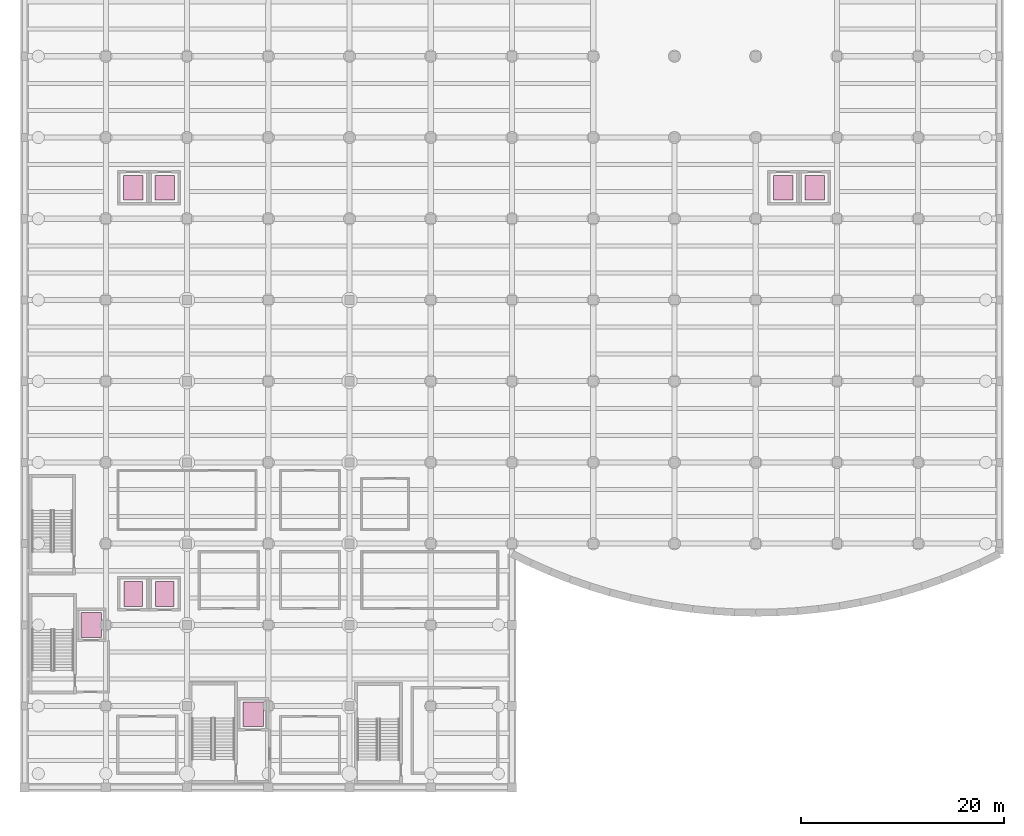
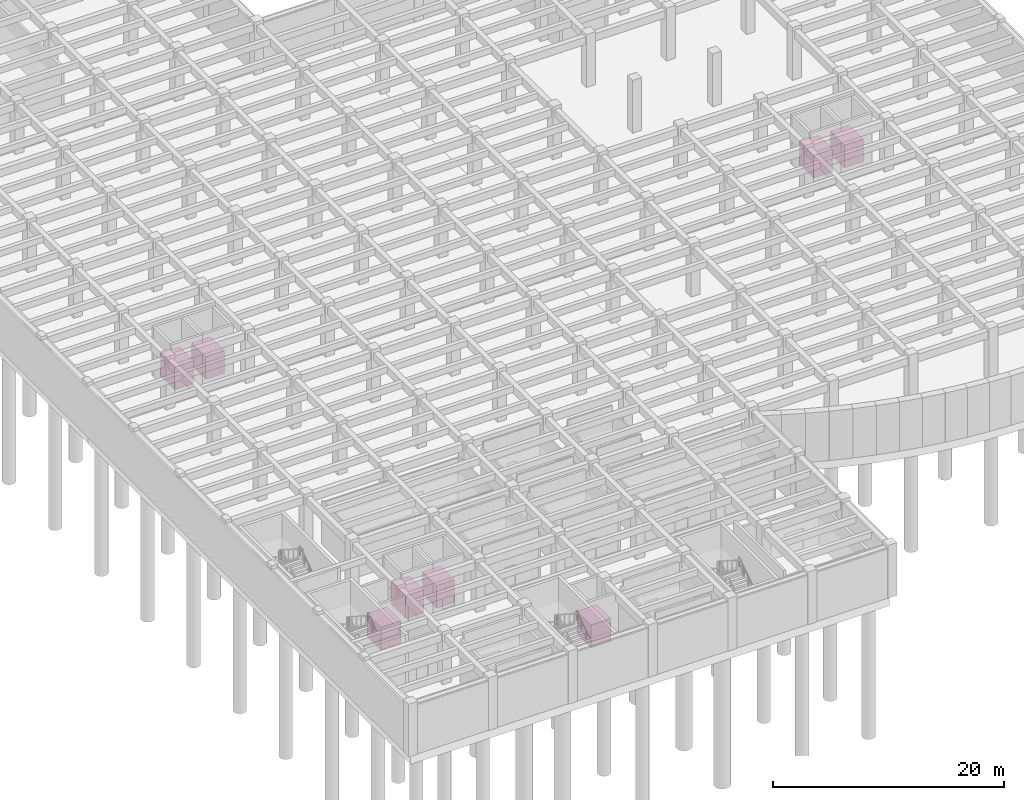
# One storey, part 18 of 18: 8 transport elements.
"""IFC4 building model written with IfcOpenShell, lengths in metres."""

from ifc_helpers import new_model, si_unit, direction, frame, origin, origin_2d, place, context, subcontext, project, spatial, rectangle, extrude, material, type_object, element, save


model = new_model("IFC4")

# Units and contexts
model_context = context("Model", 3, precision=1e-05, world=origin(), true_north=direction((0.0, 1.0)))
body_context = subcontext(model_context, "Body", "Model", "MODEL_VIEW")
ifc_project = project(units=[si_unit("LENGTHUNIT", "METRE"), si_unit("AREAUNIT", "SQUARE_METRE"), si_unit("VOLUMEUNIT", "CUBIC_METRE"), si_unit("PLANEANGLEUNIT", "RADIAN"), si_unit("MASSUNIT", "GRAM", prefix="KILO")], contexts=[model_context])

# Site, building, storey
site_placement = place(None, origin())
site = spatial("IfcSite", under=ifc_project, at=site_placement, CompositionType="ELEMENT")
building_placement = place(site_placement, origin())
building = spatial("IfcBuilding", under=site, at=building_placement, Name="Drelvath Fold Interchange", CompositionType="ELEMENT")
storey_placement = place(building_placement, frame((0.0, 0.0, -11.199951171875)))
storey = spatial("IfcBuildingStorey", under=building, at=storey_placement, Name="B2", CompositionType="ELEMENT", Elevation=-11.199951171875)

# Transport elements
ifc_material = material(Name="Stainless Steel 316L", Category="steel")
transport_element_type_1 = type_object("IfcTransportElementType", Name="EL-FF2000", PredefinedType="ELEVATOR", material=ifc_material)
for number, where, z_axis, x_axis, name in (
    (1, (10.56005859375, 19.0, 0.0), (0.0, 0.0, 1.0), (1.0, 0.0, 0.0), "Fire Service Access Elevator LF-FF1"),
    (2, (26.510009765625, 10.199951171875, 0.0), (0.0, 0.0, 1.0), (1.0, 0.0, 0.0), "Fire Service Access Elevator LF-FF2"),
):
    element("IfcTransportElement", number, at=place(storey_placement, frame(where, z_axis=z_axis, x_axis=x_axis)), inside=storey, type_object=transport_element_type_1, Name=name, PredefinedType="ELEVATOR", context=body_context, shape_type="SweptSolid", body=[
        extrude(rectangle(XDim=2.0, YDim=2.449951171875, at=origin_2d()), origin(), (0.0, 0.0, 1.0), 2.39990234375),
    ])
transport_element_type_2 = type_object("IfcTransportElementType", Name="EL-PAX1800", PredefinedType="ELEVATOR", material=ifc_material)
for number, where, z_axis, x_axis, name in (
    (3, (14.699951171875, 22.050048828125, 0.0), (0.0, 0.0, 1.0), (1.0, 0.0, 0.0), "Operations Passenger Lift LF-01"),
    (4, (17.800048828125, 22.050048828125, 0.0), (0.0, 0.0, 1.0), (1.0, 0.0, 0.0), "Operations Passenger Lift LF-02"),
):
    element("IfcTransportElement", number, at=place(storey_placement, frame(where, z_axis=z_axis, x_axis=x_axis)), inside=storey, type_object=transport_element_type_2, Name=name, PredefinedType="ELEVATOR", context=body_context, shape_type="SweptSolid", body=[
        extrude(rectangle(XDim=1.800048828125, YDim=2.449951171875, at=origin_2d()), origin(), (0.0, 0.0, 1.0), 2.39990234375),
    ])
transport_element_type_3 = type_object("IfcTransportElementType", Name="EL-PAX2000", PredefinedType="ELEVATOR", material=ifc_material)
for number, where, z_axis, x_axis, name in (
    (5, (14.699951171875, 62.050048828125, 0.0), (0.0, 0.0, 1.0), (1.0, 0.0, 0.0), "West Metro Concourse Lift LF-03"),
    (6, (17.800048828125, 62.050048828125, 0.0), (0.0, 0.0, 1.0), (1.0, 0.0, 0.0), "West Metro Concourse Lift LF-04"),
    (7, (78.699951171875, 62.050048828125, 0.0), (0.0, 0.0, 1.0), (1.0, 0.0, 0.0), "East Metro Concourse Lift LF-05"),
    (8, (81.800048828125, 62.050048828125, 0.0), (0.0, 0.0, 1.0), (1.0, 0.0, 0.0), "East Metro Concourse Lift LF-06"),
):
    element("IfcTransportElement", number, at=place(storey_placement, frame(where, z_axis=z_axis, x_axis=x_axis)), inside=storey, type_object=transport_element_type_3, Name=name, PredefinedType="ELEVATOR", context=body_context, shape_type="SweptSolid", body=[
        extrude(rectangle(XDim=1.89990234375, YDim=2.449951171875, at=origin_2d()), origin(), (0.0, 0.0, 1.0), 2.39990234375),
    ])

save(model, "model.ifc")
